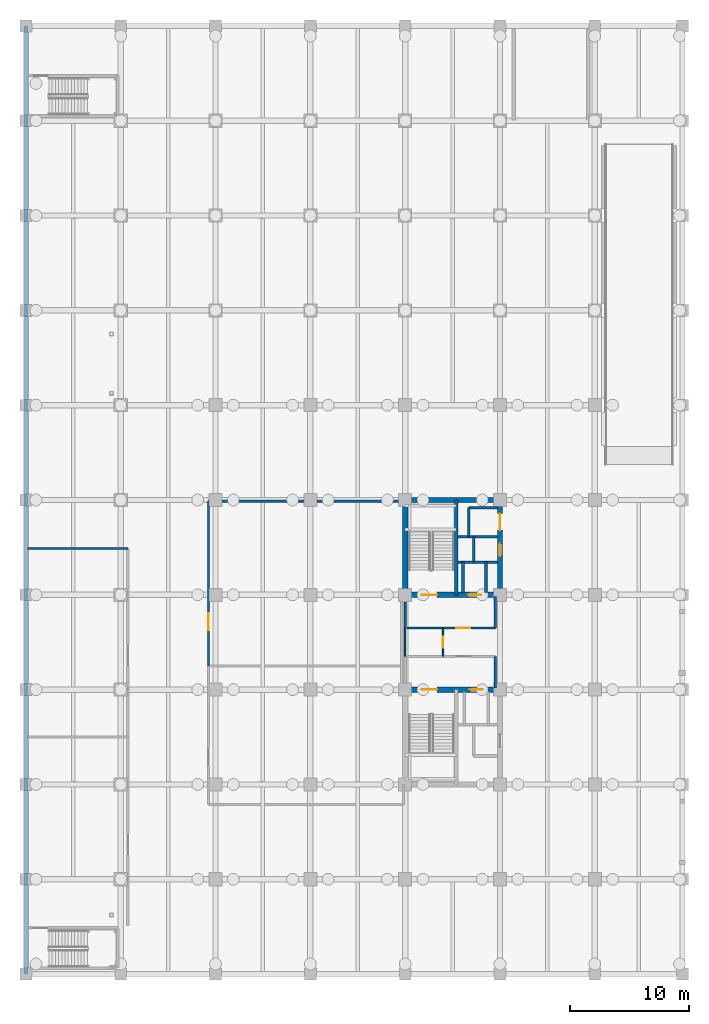
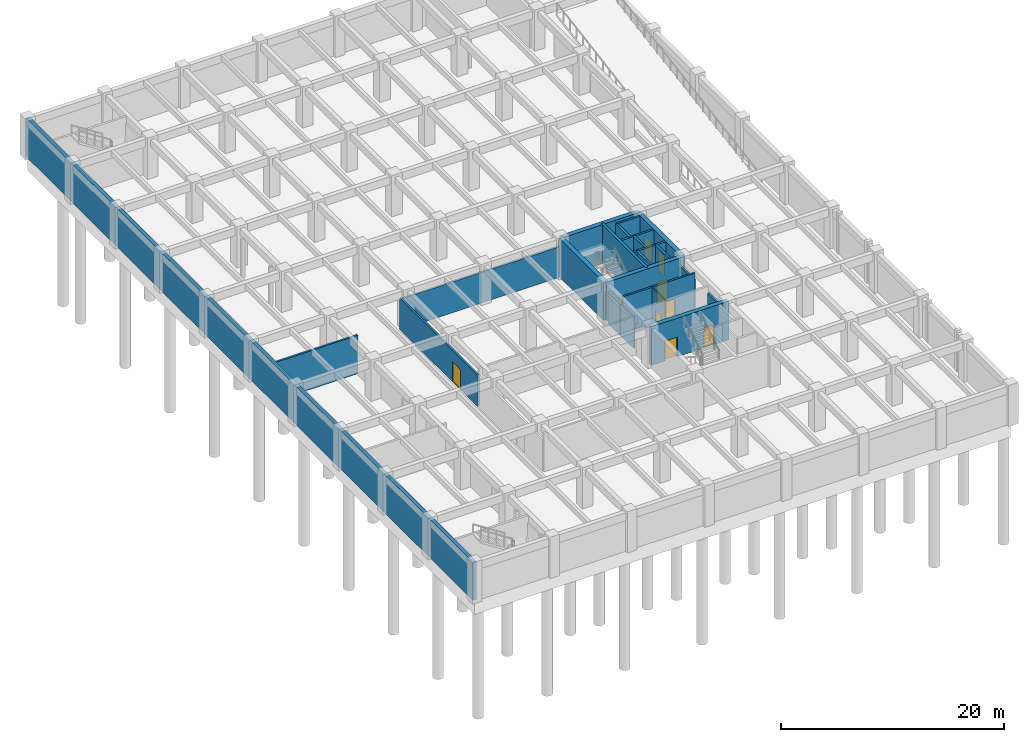
# One storey, part 10 of 15: 23 walls, 9 doors, 9 openings.
"""IFC4 building model written with IfcOpenShell, lengths in metres."""

from ifc_helpers import new_model, si_unit, direction, frame, frame_2d, origin, place, context, subcontext, project, spatial, rectangle, extrude, material, layer, layer_set, type_object, element, fill, save


model = new_model("IFC4")

# Units and contexts
model_context = context("Model", 3, precision=1e-05, world=origin(), true_north=direction((0.0, 1.0)))
body_context = subcontext(model_context, "Body", "Model", "MODEL_VIEW")
ifc_project = project(units=[si_unit("LENGTHUNIT", "METRE"), si_unit("AREAUNIT", "SQUARE_METRE"), si_unit("VOLUMEUNIT", "CUBIC_METRE"), si_unit("PLANEANGLEUNIT", "RADIAN"), si_unit("MASSUNIT", "GRAM", prefix="KILO")], contexts=[model_context])

# Site, building, storey
site_placement = place(None, origin())
site = spatial("IfcSite", under=ifc_project, at=site_placement, CompositionType="ELEMENT")
building_placement = place(site_placement, origin())
building = spatial("IfcBuilding", under=site, at=building_placement, Name="Canggui Botanical Conservatory", CompositionType="ELEMENT")
storey_placement = place(building_placement, frame((0.0, 0.0, -9.0)))
storey = spatial("IfcBuildingStorey", under=building, at=storey_placement, Name="B2", CompositionType="ELEMENT", Elevation=-9.0)

# Wall
ifc_material_1 = material(Name="Concrete C35", Category="concrete")
ifc_layer_1 = layer(ifc_material_1, 0.195068359375, Name="Concrete C35", Category="concrete")
ifc_layer_set_1 = layer_set([ifc_layer_1], Name="Concrete C35")
wall_type_1 = type_object("IfcWallType", Name="IW-LOBBY-195", PredefinedType="STANDARD", material=ifc_layer_set_1)
wall_1_placement = place(storey_placement, frame((161.60009765625, 50.14990234375, 0.0), z_axis=(0.0, 0.0, 1.0), x_axis=(0.0, 1.0, 0.0)))
element("IfcWall", 1, at=wall_1_placement, inside=storey, type_object=wall_type_1, Name="B2 South Firefighting Lobby East Wall", PredefinedType="STANDARD", context=body_context, shape_type="SweptSolid", body=[
    extrude(rectangle(XDim=2.650146484375, YDim=0.195068359375, at=frame_2d((1.3251953125, 0.0))), origin(), (0.0, 0.0, 1.0), 3.449951171875),
])

# Wall, opening, door
wall_2_placement = place(storey_placement, frame((154.14990234375, 55.199951171875, 0.0), z_axis=(0.0, 0.0, 1.0), x_axis=(1.0, 0.0, 0.0)))
wall_2 = element("IfcWall", 2, at=wall_2_placement, inside=storey, type_object=wall_type_1, Name="B2 North Firefighting Lobby Wall", PredefinedType="STANDARD", context=body_context, shape_type="SweptSolid", body=[
    extrude(rectangle(XDim=7.4501953125, YDim=0.195068359375, at=frame_2d((3.72509765625, 0.0))), origin(), (0.0, 0.0, 1.0), 4.199951171875),
])
opening_1_placement = place(wall_2_placement, frame((4.14990234375, 0.0, 0.0)))
opening_1 = element("IfcOpeningElement", 3, at=opening_1_placement, cuts=wall_2, Name="Opening FD-07", PredefinedType="OPENING", context=body_context, shape_type="SweptSolid", body=[
    extrude(rectangle(XDim=1.199951171875, YDim=2.10009765625, at=frame_2d((0.60009765625, 1.050048828125))), frame((0.0, 0.107421875, 0.0), z_axis=(0.0, -1.0, 0.0), x_axis=(1.0, 0.0, 0.0)), (0.0, 0.0, 1.0), 0.215087890625),
])
ifc_material_2 = material(Name="Powder-Coated Steel", Category="steel")
door_type_1 = type_object("IfcDoorType", Name="FD-07", OperationType="NOTDEFINED", PredefinedType="DOOR", material=ifc_material_2)
door_1_placement = place(opening_1_placement, origin())
door_1 = element("IfcDoor", 4, at=door_1_placement, inside=storey, type_object=door_type_1, Name="Interior Door IW-B2-FFL2-S", OperationType="SINGLE_SWING_RIGHT", OverallHeight=2.10009765625, OverallWidth=1.199951171875, PredefinedType="DOOR", context=body_context, shape_type="SweptSolid", body=[
    extrude(rectangle(XDim=1.199951171875, YDim=2.10009765625, at=frame_2d((0.60009765625, 1.050048828125))), frame((0.0, 0.02490234375, 0.0), z_axis=(0.0, -1.0, 0.0), x_axis=(1.0, 0.0, 0.0)), (0.0, 0.0, 1.0), 0.050048828125),
])
fill(opening_1, door_1)

# Walls
wall_3_placement = place(storey_placement, frame((161.60009765625, 55.199951171875, 0.0), z_axis=(0.0, 0.0, 1.0), x_axis=(0.0, 1.0, 0.0)))
element("IfcWall", 5, at=wall_3_placement, inside=storey, type_object=wall_type_1, Name="B2 North Firefighting Lobby East Wall", PredefinedType="STANDARD", context=body_context, shape_type="SweptSolid", body=[
    extrude(rectangle(XDim=2.650146484375, YDim=0.195068359375, at=frame_2d((1.3251953125, 0.0))), origin(), (0.0, 0.0, 1.0), 3.449951171875),
])
wall_4_placement = place(storey_placement, frame((154.0, 55.199951171875, 0.0), z_axis=(0.0, 0.0, 1.0), x_axis=(0.0, 1.0, 0.0)))
element("IfcWall", 6, at=wall_4_placement, inside=storey, type_object=wall_type_1, Name="B2 North Firefighting Lobby West Wall", PredefinedType="STANDARD", context=body_context, shape_type="SweptSolid", body=[
    extrude(rectangle(XDim=2.199951171875, YDim=0.195068359375, at=frame_2d((1.10009765625, 0.0))), origin(), (0.0, 0.0, 1.0), 3.449951171875),
])
wall_5_placement = place(storey_placement, frame((122.14990234375, 61.89990234375, 0.0), z_axis=(0.0, 0.0, 1.0), x_axis=(1.0, 0.0, 0.0)))
element("IfcWall", 7, at=wall_5_placement, inside=storey, type_object=wall_type_1, Name="B2 Plant Room North Wall", PredefinedType="STANDARD", context=body_context, shape_type="SweptSolid", body=[
    extrude(rectangle(XDim=8.4501953125, YDim=0.195068359375, at=frame_2d((4.22509765625, 0.0))), origin(), (0.0, 0.0, 1.0), 4.199951171875),
])

# Wall, opening, door
wall_6_placement = place(storey_placement, frame((137.39990234375, 52.0, 0.0), z_axis=(0.0, 0.0, 1.0), x_axis=(0.0, 1.0, 0.0)))
wall_6 = element("IfcWall", 8, at=wall_6_placement, inside=storey, type_object=wall_type_1, Name="B2 Vault Enclosure 2", PredefinedType="STANDARD", context=body_context, shape_type="SweptSolid", body=[
    extrude(rectangle(XDim=13.89990234375, YDim=0.195068359375, at=frame_2d((6.949951171875, 0.0))), origin(), (0.0, 0.0, 1.0), 3.449951171875),
])
opening_2_placement = place(wall_6_placement, frame((3.0, 0.0, 0.0)))
opening_2 = element("IfcOpeningElement", 9, at=opening_2_placement, cuts=wall_6, Name="Opening FD-12", PredefinedType="OPENING", context=body_context, shape_type="SweptSolid", body=[
    extrude(rectangle(XDim=1.449951171875, YDim=2.199951171875, at=frame_2d((0.72509765625, 1.10009765625))), frame((0.0, 0.107421875, 0.0), z_axis=(0.0, -1.0, 0.0), x_axis=(1.0, 0.0, 0.0)), (0.0, 0.0, 1.0), 0.215087890625),
])
door_type_2 = type_object("IfcDoorType", Name="FD-12", OperationType="NOTDEFINED", PredefinedType="DOOR", material=ifc_material_2)
door_2_placement = place(opening_2_placement, origin())
door_2 = element("IfcDoor", 10, at=door_2_placement, inside=storey, type_object=door_type_2, Name="Interior Door IW-B2-VLT2", OperationType="SINGLE_SWING_LEFT", OverallHeight=2.199951171875, OverallWidth=1.449951171875, PredefinedType="DOOR", context=body_context, shape_type="SweptSolid", body=[
    extrude(rectangle(XDim=1.449951171875, YDim=2.199951171875, at=frame_2d((0.72509765625, 1.10009765625))), frame((0.0, 0.02490234375, 0.0), z_axis=(0.0, -1.0, 0.0), x_axis=(1.0, 0.0, 0.0)), (0.0, 0.0, 1.0), 0.050048828125),
])
fill(opening_2, door_2)

# Walls
wall_7_placement = place(storey_placement, frame((137.39990234375, 65.89990234375, 0.0), z_axis=(0.0, 0.0, 1.0), x_axis=(1.0, 0.0, 0.0)))
element("IfcWall", 11, at=wall_7_placement, inside=storey, type_object=wall_type_1, Name="B2 Vault North Wall", PredefinedType="STANDARD", context=body_context, shape_type="SweptSolid", body=[
    extrude(rectangle(XDim=16.4501953125, YDim=0.195068359375, at=frame_2d((8.22509765625, 0.0))), origin(), (0.0, 0.0, 1.0), 3.35009765625),
])
ifc_layer_2 = layer(ifc_material_1, 0.215087890625, Name="Concrete C35", Category="concrete")
ifc_layer_set_2 = layer_set([ifc_layer_2], Name="Concrete C35")
wall_type_2 = type_object("IfcWallType", Name="IW-SHAFT-215", PredefinedType="STANDARD", material=ifc_layer_set_2)
wall_8_placement = place(storey_placement, frame((158.449951171875, 62.89990234375, 0.0), z_axis=(0.0, 0.0, 1.0), x_axis=(1.0, 0.0, 0.0)))
element("IfcWall", 12, at=wall_8_placement, inside=storey, type_object=wall_type_2, Name="Core T2 Goods Lift Shaft Divider B2", PredefinedType="STANDARD", context=body_context, shape_type="SweptSolid", body=[
    extrude(rectangle(XDim=3.35009765625, YDim=0.215087890625, at=frame_2d((1.675048828125, 0.0))), origin(), (0.0, 0.0, 1.0), 4.199951171875),
])
wall_9_placement = place(storey_placement, frame((160.820068359375, 58.199951171875, 0.0), z_axis=(0.0, 0.0, 1.0), x_axis=(0.0, 1.0, 0.0)))
element("IfcWall", 13, at=wall_9_placement, inside=storey, type_object=wall_type_2, Name="Core T2 Lift Bank Web B2", PredefinedType="STANDARD", context=body_context, shape_type="SweptSolid", body=[
    extrude(rectangle(XDim=2.550048828125, YDim=0.215087890625, at=frame_2d((1.27490234375, 0.0))), origin(), (0.0, 0.0, 1.0), 4.199951171875),
])
wall_10_placement = place(storey_placement, frame((159.3798828125, 62.89990234375, 0.0), z_axis=(0.0, 0.0, 1.0), x_axis=(0.0, 1.0, 0.0)))
element("IfcWall", 14, at=wall_10_placement, inside=storey, type_object=wall_type_2, Name="Core T2 GL-01 West Shaft Wall B2", PredefinedType="STANDARD", context=body_context, shape_type="SweptSolid", body=[
    extrude(rectangle(XDim=2.4501953125, YDim=0.215087890625, at=frame_2d((1.22509765625, 0.0))), origin(), (0.0, 0.0, 1.0), 4.199951171875),
])
wall_11_placement = place(storey_placement, frame((159.3798828125, 65.35009765625, 0.0), z_axis=(0.0, 0.0, 1.0), x_axis=(1.0, 0.0, 0.0)))
element("IfcWall", 15, at=wall_11_placement, inside=storey, type_object=wall_type_2, Name="Core T2 GL-01 North Shaft Wall B2", PredefinedType="STANDARD", context=body_context, shape_type="SweptSolid", body=[
    extrude(rectangle(XDim=2.420166015625, YDim=0.215087890625, at=frame_2d((1.2099609375, 0.0))), origin(), (0.0, 0.0, 1.0), 4.199951171875),
])
wall_12_placement = place(storey_placement, frame((158.449951171875, 60.75, 0.0), z_axis=(0.0, 0.0, 1.0), x_axis=(1.0, 0.0, 0.0)))
element("IfcWall", 16, at=wall_12_placement, inside=storey, type_object=wall_type_2, Name="Core T2 PL-02 South Shaft Wall B2", PredefinedType="STANDARD", context=body_context, shape_type="SweptSolid", body=[
    extrude(rectangle(XDim=3.35009765625, YDim=0.215087890625, at=frame_2d((1.675048828125, 0.0))), origin(), (0.0, 0.0, 1.0), 4.199951171875),
])
wall_13_placement = place(storey_placement, frame((159.780029296875, 60.75, 0.0), z_axis=(0.0, 0.0, 1.0), x_axis=(0.0, 1.0, 0.0)))
element("IfcWall", 17, at=wall_13_placement, inside=storey, type_object=wall_type_2, Name="Core T2 PL-02 West Shaft Wall B2", PredefinedType="STANDARD", context=body_context, shape_type="SweptSolid", body=[
    extrude(rectangle(XDim=2.14990234375, YDim=0.215087890625, at=frame_2d((1.074951171875, 0.0))), origin(), (0.0, 0.0, 1.0), 4.199951171875),
])
wall_14_placement = place(storey_placement, frame((158.8798828125, 58.199951171875, 0.0), z_axis=(0.0, 0.0, 1.0), x_axis=(0.0, 1.0, 0.0)))
element("IfcWall", 18, at=wall_14_placement, inside=storey, type_object=wall_type_2, Name="Core T2 FL-02 West Shaft Wall B2", PredefinedType="STANDARD", context=body_context, shape_type="SweptSolid", body=[
    extrude(rectangle(XDim=2.550048828125, YDim=0.215087890625, at=frame_2d((1.27490234375, 0.0))), origin(), (0.0, 0.0, 1.0), 4.199951171875),
])
ifc_material_3 = material(Name="Gypsum Plasterboard Partition")
ifc_layer_3 = layer(ifc_material_3, 0.125, Name="Gypsum Plasterboard Partition")
ifc_layer_set_3 = layer_set([ifc_layer_3], Name="Gypsum Plasterboard Partition")
wall_type_3 = type_object("IfcWallType", Name="IW-WC-125", PredefinedType="STANDARD", material=ifc_layer_set_3)
wall_15_placement = place(storey_placement, frame((154.0, 52.800048828125, 0.0), z_axis=(0.0, 0.0, 1.0), x_axis=(0.0, 1.0, 0.0)))
element("IfcWall", 19, at=wall_15_placement, inside=storey, type_object=wall_type_3, Name="B2 Accessible WC West Wall", PredefinedType="STANDARD", context=body_context, shape_type="SweptSolid", body=[
    extrude(rectangle(XDim=2.39990234375, YDim=0.125, at=frame_2d((1.199951171875, 0.0))), origin(), (0.0, 0.0, 1.0), 3.449951171875),
])

# Wall, opening, door
wall_16_placement = place(storey_placement, frame((157.199951171875, 52.800048828125, 0.0), z_axis=(0.0, 0.0, 1.0), x_axis=(0.0, 1.0, 0.0)))
wall_16 = element("IfcWall", 20, at=wall_16_placement, inside=storey, type_object=wall_type_3, Name="B2 Accessible WC Wall", PredefinedType="STANDARD", context=body_context, shape_type="SweptSolid", body=[
    extrude(rectangle(XDim=2.39990234375, YDim=0.125, at=frame_2d((1.199951171875, 0.0))), origin(), (0.0, 0.0, 1.0), 4.199951171875),
])
opening_3_placement = place(wall_16_placement, frame((0.719970703125, 0.0, 0.0)))
opening_3 = element("IfcOpeningElement", 21, at=opening_3_placement, cuts=wall_16, Name="Opening ID-03", PredefinedType="OPENING", context=body_context, shape_type="SweptSolid", body=[
    extrude(rectangle(XDim=0.9599609375, YDim=2.080078125, at=frame_2d((0.47998046875, 1.0400390625))), frame((0.0, 0.072509765625, 0.0), z_axis=(0.0, -1.0, 0.0), x_axis=(1.0, 0.0, 0.0)), (0.0, 0.0, 1.0), 0.14501953125),
])
ifc_material_4 = material(Name="Engineered Timber Veneer", Category="wood")
door_type_3 = type_object("IfcDoorType", Name="ID-03", OperationType="NOTDEFINED", PredefinedType="DOOR", material=ifc_material_4)
door_3_placement = place(opening_3_placement, origin())
door_3 = element("IfcDoor", 22, at=door_3_placement, inside=storey, type_object=door_type_3, Name="Interior Door IW-B2-AWC-E", OperationType="SINGLE_SWING_LEFT", OverallHeight=2.080078125, OverallWidth=0.9599609375, PredefinedType="DOOR", context=body_context, shape_type="SweptSolid", body=[
    extrude(rectangle(XDim=0.9599609375, YDim=2.080078125, at=frame_2d((0.47998046875, 1.0400390625))), frame((0.0, 0.02490234375, 0.0), z_axis=(0.0, -1.0, 0.0), x_axis=(1.0, 0.0, 0.0)), (0.0, 0.0, 1.0), 0.050048828125),
])
fill(opening_3, door_3)

# Walls
ifc_material_5 = material(Name="Concrete C40", Category="concrete")
ifc_layer_4 = layer(ifc_material_5, 0.35009765625, Name="Concrete C40", Category="concrete")
ifc_layer_set_4 = layer_set([ifc_layer_4], Name="Concrete C40")
wall_type_4 = type_object("IfcWallType", Name="WALL-RET-350", PredefinedType="SOLIDWALL", material=ifc_layer_set_4)
wall_17_placement = place(storey_placement, frame((122.0, 106.0, 0.0), z_axis=(0.0, 0.0, 1.0), x_axis=(0.0, -1.0, 0.0)))
element("IfcWall", 23, at=wall_17_placement, inside=storey, type_object=wall_type_4, Name="Basement Waterproof Retaining Wall B2-04", PredefinedType="SOLIDWALL", context=body_context, shape_type="SweptSolid", body=[
    extrude(rectangle(XDim=80.0, YDim=0.35009765625, at=frame_2d((40.0, 0.0))), origin(), (0.0, 0.0, 1.0), 4.219970703125),
])
ifc_layer_5 = layer(ifc_material_1, 0.280029296875, Name="Concrete C35", Category="concrete")
ifc_layer_set_5 = layer_set([ifc_layer_5], Name="Concrete C35")
wall_type_5 = type_object("IfcWallType", Name="WALL-SH-280-C35", PredefinedType="SHEAR", material=ifc_layer_set_5)
wall_18_placement = place(storey_placement, frame((158.300048828125, 58.0, 0.0), z_axis=(0.0, 0.0, 1.0), x_axis=(0.0, 1.0, 0.0)))
element("IfcWall", 24, at=wall_18_placement, inside=storey, type_object=wall_type_5, Name="Core T2 Internal Shear Web B2", PredefinedType="SHEAR", context=body_context, shape_type="SweptSolid", body=[
    extrude(rectangle(XDim=8.0, YDim=0.280029296875, at=frame_2d((4.0, 0.0))), origin(), (0.0, 0.0, 1.0), 4.219970703125),
])

# Wall, openings, doors
ifc_material_6 = material(Name="Concrete C50", Category="concrete")
ifc_layer_6 = layer(ifc_material_6, 0.449951171875, Name="Concrete C50", Category="concrete")
ifc_layer_set_6 = layer_set([ifc_layer_6], Name="Concrete C50")
wall_type_6 = type_object("IfcWallType", Name="WALL-SH-450-C50", PredefinedType="SHEAR", material=ifc_layer_set_6)
wall_19_placement = place(storey_placement, frame((162.0, 50.0, 0.0), z_axis=(0.0, 0.0, 1.0), x_axis=(-1.0, 0.0, 0.0)))
wall_19 = element("IfcWall", 25, at=wall_19_placement, inside=storey, type_object=wall_type_6, Name="Core T1 Shear Wall B2-N", PredefinedType="SHEAR", context=body_context, shape_type="SweptSolid", body=[
    extrude(rectangle(XDim=8.0, YDim=0.449951171875, at=frame_2d((4.0, 0.0))), origin(), (0.0, 0.0, 1.0), 4.219970703125),
])
opening_4_placement = place(wall_19_placement, frame((5.300048828125, 0.0, 0.0)))
opening_4 = element("IfcOpeningElement", 26, at=opening_4_placement, cuts=wall_19, Name="Opening FD-09", PredefinedType="OPENING", context=body_context, shape_type="SweptSolid", body=[
    extrude(rectangle(XDim=1.300048828125, YDim=2.14990234375, at=frame_2d((0.64990234375, 1.074951171875))), frame((0.0, 0.23486328125, 0.0), z_axis=(0.0, -1.0, 0.0), x_axis=(1.0, 0.0, 0.0)), (0.0, 0.0, 1.0), 0.469970703125),
])
opening_5_placement = place(wall_19_placement, frame((1.449951171875, 0.0, 0.0)))
opening_5 = element("IfcOpeningElement", 27, at=opening_5_placement, cuts=wall_19, Name="Opening LD-01", PredefinedType="OPENING", context=body_context, shape_type="SweptSolid", body=[
    extrude(rectangle(XDim=1.10009765625, YDim=2.199951171875, at=frame_2d((0.550048828125, 1.10009765625))), frame((0.0, 0.23486328125, 0.0), z_axis=(0.0, -1.0, 0.0), x_axis=(1.0, 0.0, 0.0)), (0.0, 0.0, 1.0), 0.469970703125),
])
door_type_4 = type_object("IfcDoorType", Name="FD-09", OperationType="NOTDEFINED", PredefinedType="DOOR", material=ifc_material_2)
door_4_placement = place(opening_4_placement, origin())
door_4 = element("IfcDoor", 28, at=door_4_placement, inside=storey, type_object=door_type_4, Name="Tower South Smoke-Proof Stair Door B2", OperationType="SINGLE_SWING_LEFT", OverallHeight=2.14990234375, OverallWidth=1.300048828125, PredefinedType="DOOR", context=body_context, shape_type="SweptSolid", body=[
    extrude(rectangle(XDim=1.300048828125, YDim=2.14990234375, at=frame_2d((0.64990234375, 1.074951171875))), frame((0.0, 0.02490234375, 0.0), z_axis=(0.0, -1.0, 0.0), x_axis=(1.0, 0.0, 0.0)), (0.0, 0.0, 1.0), 0.050048828125),
])
fill(opening_4, door_4)
ifc_material_7 = material(Name="Stainless Steel 304", Category="steel")
door_type_5 = type_object("IfcDoorType", Name="LDR-01", OperationType="NOTDEFINED", PredefinedType="DOOR", material=ifc_material_7)
door_5_placement = place(opening_5_placement, origin())
door_5 = element("IfcDoor", 29, at=door_5_placement, inside=storey, type_object=door_type_5, Name="Firefighting Lift FL-01 Landing Door B2", OperationType="SLIDING_TO_LEFT", OverallHeight=2.199951171875, OverallWidth=1.10009765625, PredefinedType="DOOR", context=body_context, shape_type="SweptSolid", body=[
    extrude(rectangle(XDim=1.10009765625, YDim=2.199951171875, at=frame_2d((0.550048828125, 1.10009765625))), frame((0.0, 0.02490234375, 0.0), z_axis=(0.0, -1.0, 0.0), x_axis=(1.0, 0.0, 0.0)), (0.0, 0.0, 1.0), 0.050048828125),
])
fill(opening_5, door_5)

wall_20_placement = place(storey_placement, frame((154.0, 58.0, 0.0), z_axis=(0.0, 0.0, 1.0), x_axis=(1.0, 0.0, 0.0)))
wall_20 = element("IfcWall", 30, at=wall_20_placement, inside=storey, type_object=wall_type_6, Name="Core T2 Shear Wall B2-S", PredefinedType="SHEAR", context=body_context, shape_type="SweptSolid", body=[
    extrude(rectangle(XDim=8.0, YDim=0.449951171875, at=frame_2d((4.0, 0.0))), origin(), (0.0, 0.0, 1.0), 4.219970703125),
])
opening_6_placement = place(wall_20_placement, frame((1.39990234375, 0.0, 0.0)))
opening_6 = element("IfcOpeningElement", 31, at=opening_6_placement, cuts=wall_20, Name="Opening FD-09", PredefinedType="OPENING", context=body_context, shape_type="SweptSolid", body=[
    extrude(rectangle(XDim=1.300048828125, YDim=2.14990234375, at=frame_2d((0.64990234375, 1.074951171875))), frame((0.0, 0.23486328125, 0.0), z_axis=(0.0, -1.0, 0.0), x_axis=(1.0, 0.0, 0.0)), (0.0, 0.0, 1.0), 0.469970703125),
])
opening_7_placement = place(wall_20_placement, frame((5.300048828125, 0.0, 0.0)))
opening_7 = element("IfcOpeningElement", 32, at=opening_7_placement, cuts=wall_20, Name="Opening LD-01", PredefinedType="OPENING", context=body_context, shape_type="SweptSolid", body=[
    extrude(rectangle(XDim=1.10009765625, YDim=2.199951171875, at=frame_2d((0.550048828125, 1.10009765625))), frame((0.0, 0.23486328125, 0.0), z_axis=(0.0, -1.0, 0.0), x_axis=(1.0, 0.0, 0.0)), (0.0, 0.0, 1.0), 0.469970703125),
])
door_6_placement = place(opening_6_placement, origin())
door_6 = element("IfcDoor", 33, at=door_6_placement, inside=storey, type_object=door_type_4, Name="Tower North Smoke-Proof Stair Door B2", OperationType="SINGLE_SWING_RIGHT", OverallHeight=2.14990234375, OverallWidth=1.300048828125, PredefinedType="DOOR", context=body_context, shape_type="SweptSolid", body=[
    extrude(rectangle(XDim=1.300048828125, YDim=2.14990234375, at=frame_2d((0.64990234375, 1.074951171875))), frame((0.0, 0.02490234375, 0.0), z_axis=(0.0, -1.0, 0.0), x_axis=(1.0, 0.0, 0.0)), (0.0, 0.0, 1.0), 0.050048828125),
])
fill(opening_6, door_6)
door_7_placement = place(opening_7_placement, origin())
door_7 = element("IfcDoor", 34, at=door_7_placement, inside=storey, type_object=door_type_5, Name="Firefighting Lift FL-02 Landing Door B2", OperationType="SLIDING_TO_RIGHT", OverallHeight=2.199951171875, OverallWidth=1.10009765625, PredefinedType="DOOR", context=body_context, shape_type="SweptSolid", body=[
    extrude(rectangle(XDim=1.10009765625, YDim=2.199951171875, at=frame_2d((0.550048828125, 1.10009765625))), frame((0.0, 0.02490234375, 0.0), z_axis=(0.0, -1.0, 0.0), x_axis=(1.0, 0.0, 0.0)), (0.0, 0.0, 1.0), 0.050048828125),
])
fill(opening_7, door_7)

wall_21_placement = place(storey_placement, frame((162.0, 58.0, 0.0), z_axis=(0.0, 0.0, 1.0), x_axis=(0.0, 1.0, 0.0)))
wall_21 = element("IfcWall", 35, at=wall_21_placement, inside=storey, type_object=wall_type_6, Name="Core T2 Shear Wall B2-E", PredefinedType="SHEAR", context=body_context, shape_type="SweptSolid", body=[
    extrude(rectangle(XDim=8.0, YDim=0.449951171875, at=frame_2d((4.0, 0.0))), origin(), (0.0, 0.0, 1.0), 4.219970703125),
])
opening_8_placement = place(wall_21_placement, frame((3.27490234375, 0.0, 0.0)))
opening_8 = element("IfcOpeningElement", 36, at=opening_8_placement, cuts=wall_21, Name="Opening LD-02", PredefinedType="OPENING", context=body_context, shape_type="SweptSolid", body=[
    extrude(rectangle(XDim=1.050048828125, YDim=2.199951171875, at=frame_2d((0.52490234375, 1.10009765625))), frame((0.0, 0.23486328125, 0.0), z_axis=(0.0, -1.0, 0.0), x_axis=(1.0, 0.0, 0.0)), (0.0, 0.0, 1.0), 0.469970703125),
])
opening_9_placement = place(wall_21_placement, frame((5.449951171875, 0.0, 0.0)))
opening_9 = element("IfcOpeningElement", 37, at=opening_9_placement, cuts=wall_21, Name="Opening LD-03", PredefinedType="OPENING", context=body_context, shape_type="SweptSolid", body=[
    extrude(rectangle(XDim=1.39990234375, YDim=2.300048828125, at=frame_2d((0.699951171875, 1.14990234375))), frame((0.0, 0.23486328125, 0.0), z_axis=(0.0, -1.0, 0.0), x_axis=(1.0, 0.0, 0.0)), (0.0, 0.0, 1.0), 0.469970703125),
])
door_type_6 = type_object("IfcDoorType", Name="LDR-02", OperationType="NOTDEFINED", PredefinedType="DOOR", material=ifc_material_7)
door_8_placement = place(opening_8_placement, origin())
door_8 = element("IfcDoor", 38, at=door_8_placement, inside=storey, type_object=door_type_6, Name="Passenger Lift PL-02 Landing Door B2", OperationType="SLIDING_TO_RIGHT", OverallHeight=2.199951171875, OverallWidth=1.050048828125, PredefinedType="DOOR", context=body_context, shape_type="SweptSolid", body=[
    extrude(rectangle(XDim=1.050048828125, YDim=2.199951171875, at=frame_2d((0.52490234375, 1.10009765625))), frame((0.0, 0.02490234375, 0.0), z_axis=(0.0, -1.0, 0.0), x_axis=(1.0, 0.0, 0.0)), (0.0, 0.0, 1.0), 0.050048828125),
])
fill(opening_8, door_8)
door_type_7 = type_object("IfcDoorType", Name="LDR-03", OperationType="NOTDEFINED", PredefinedType="DOOR", material=ifc_material_7)
door_9_placement = place(opening_9_placement, origin())
door_9 = element("IfcDoor", 39, at=door_9_placement, inside=storey, type_object=door_type_7, Name="Herbarium Goods Lift GL-01 Landing Door B2", OperationType="DOUBLE_DOOR_SLIDING", OverallHeight=2.300048828125, OverallWidth=1.39990234375, PredefinedType="DOOR", context=body_context, shape_type="SweptSolid", body=[
    extrude(rectangle(XDim=1.39990234375, YDim=2.300048828125, at=frame_2d((0.699951171875, 1.14990234375))), frame((0.0, 0.02490234375, 0.0), z_axis=(0.0, -1.0, 0.0), x_axis=(1.0, 0.0, 0.0)), (0.0, 0.0, 1.0), 0.050048828125),
])
fill(opening_9, door_9)

# Walls
for number, where, z_axis, x_axis, name in (
    (40, (162.0, 66.0, 0.0), (0.0, 0.0, 1.0), (-1.0, 0.0, 0.0), "Core T2 Shear Wall B2-N"),
    (41, (154.0, 66.0, 0.0), (0.0, 0.0, 1.0), (0.0, -1.0, 0.0), "Core T2 Shear Wall B2-W"),
):
    element("IfcWall", number, at=place(storey_placement, frame(where, z_axis=z_axis, x_axis=x_axis)), inside=storey, type_object=wall_type_6, Name=name, PredefinedType="SHEAR", context=body_context, shape_type="SweptSolid", body=[
        extrude(rectangle(XDim=8.0, YDim=0.449951171875, at=frame_2d((4.0, 0.0))), origin(), (0.0, 0.0, 1.0), 4.219970703125),
    ])

save(model, "model.ifc")
